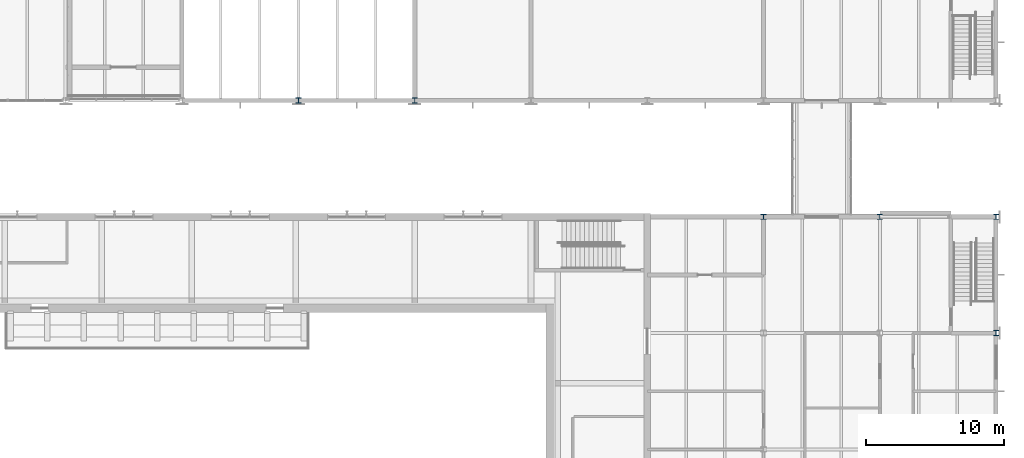
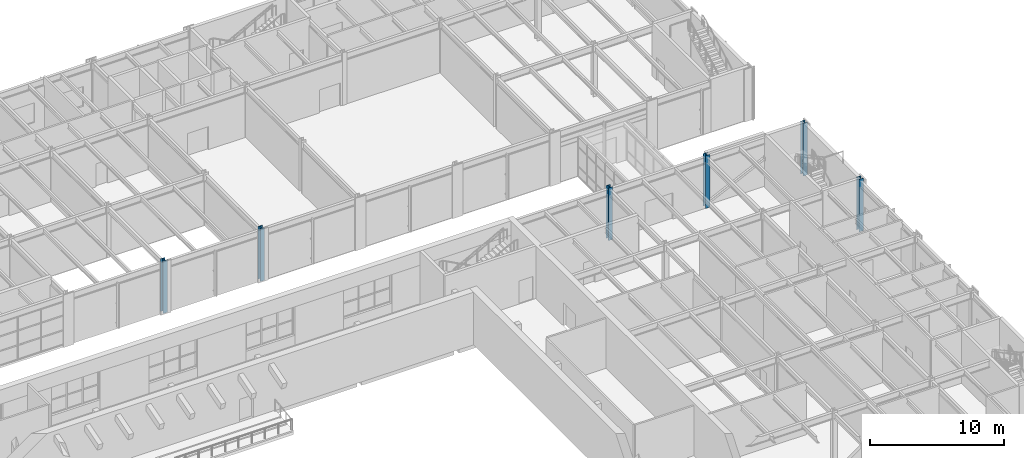
# One storey, part 12 of 127: 6 columns.
"""IFC4 building model written with IfcOpenShell, lengths in metres."""

from ifc_helpers import new_model, si_unit, direction, frame, origin, origin_2d, place, context, subcontext, project, spatial, i_section, extrude, material, material_profile, profile_set, type_object, element, save


model = new_model("IFC4")

# Units and contexts
model_context = context("Model", 3, precision=1e-05, world=origin(), true_north=direction((0.0, 1.0)))
body_context = subcontext(model_context, "Body", "Model", "MODEL_VIEW")
ifc_project = project(units=[si_unit("LENGTHUNIT", "METRE"), si_unit("AREAUNIT", "SQUARE_METRE"), si_unit("VOLUMEUNIT", "CUBIC_METRE"), si_unit("PLANEANGLEUNIT", "RADIAN"), si_unit("MASSUNIT", "GRAM", prefix="KILO")], contexts=[model_context])

# Site, building, storey
site_placement = place(None, origin())
site = spatial("IfcSite", under=ifc_project, at=site_placement, CompositionType="ELEMENT")
building_placement = place(site_placement, origin())
building = spatial("IfcBuilding", under=site, at=building_placement, Name="Ljudholm Concert House", CompositionType="ELEMENT")
storey_placement = place(building_placement, frame((0.0, 0.0, 5.39990234375)))
storey = spatial("IfcBuildingStorey", under=building, at=storey_placement, Name="L01", CompositionType="ELEMENT", Elevation=5.39990234375)

# Columns
ifc_material = material(Name="Steel ASTM A992", Category="steel")
ifc_material_profile = material_profile(ifc_material, i_section(OverallWidth=0.373291015625, OverallDepth=0.373291015625, WebThickness=0.016357421875, FlangeThickness=0.026123046875, FilletRadius=0.01513671875, at=origin_2d()), Name="W14X132")
ifc_profile_set = profile_set([ifc_material_profile], Name="Steel ASTM A992")
column_type = type_object("IfcColumnType", Name="STEEL COLUMN W14X132", PredefinedType="COLUMN", material=ifc_profile_set)
for number, where, z_axis, x_axis, name in (
    (1, (104.800048828125, 96.39990234375, 0.0), (0.0, 0.0, 1.0), (1.0, 0.0, 0.0), "Column BOH-L01-col-104.8-96.4"),
    (2, (113.199951171875, 96.39990234375, 0.0), (0.0, 0.0, 1.0), (1.0, 0.0, 0.0), "Column BOH-L01-col-113.2-96.4"),
    (3, (121.60009765625, 88.0, 0.0), (0.0, 0.0, 1.0), (1.0, 0.0, 0.0), "Column BOH-L01-col-121.6-88"),
    (4, (121.60009765625, 96.39990234375, 0.0), (0.0, 0.0, 1.0), (1.0, 0.0, 0.0), "Column BOH-L01-col-121.6-96.4"),
    (5, (71.199951171875, 104.800048828125, 0.0), (0.0, 0.0, 1.0), (1.0, 0.0, 0.0), "Column STUDIO-L01-col-71.2-104.8"),
    (6, (79.60009765625, 104.800048828125, 0.0), (0.0, 0.0, 1.0), (1.0, 0.0, 0.0), "Column STUDIO-L01-col-79.6-104.8"),
):
    element("IfcColumn", number, at=place(storey_placement, frame(where, z_axis=z_axis, x_axis=x_axis)), inside=storey, type_object=column_type, Name=name, PredefinedType="COLUMN", context=body_context, shape_type="SweptSolid", body=[
        extrude(i_section(OverallWidth=0.373291015625, OverallDepth=0.373291015625, WebThickness=0.016357421875, FlangeThickness=0.026123046875, FilletRadius=0.01513671875, at=origin_2d()), origin(), (0.0, 0.0, 1.0), 4.800048828125),
    ])

save(model, "model.ifc")
